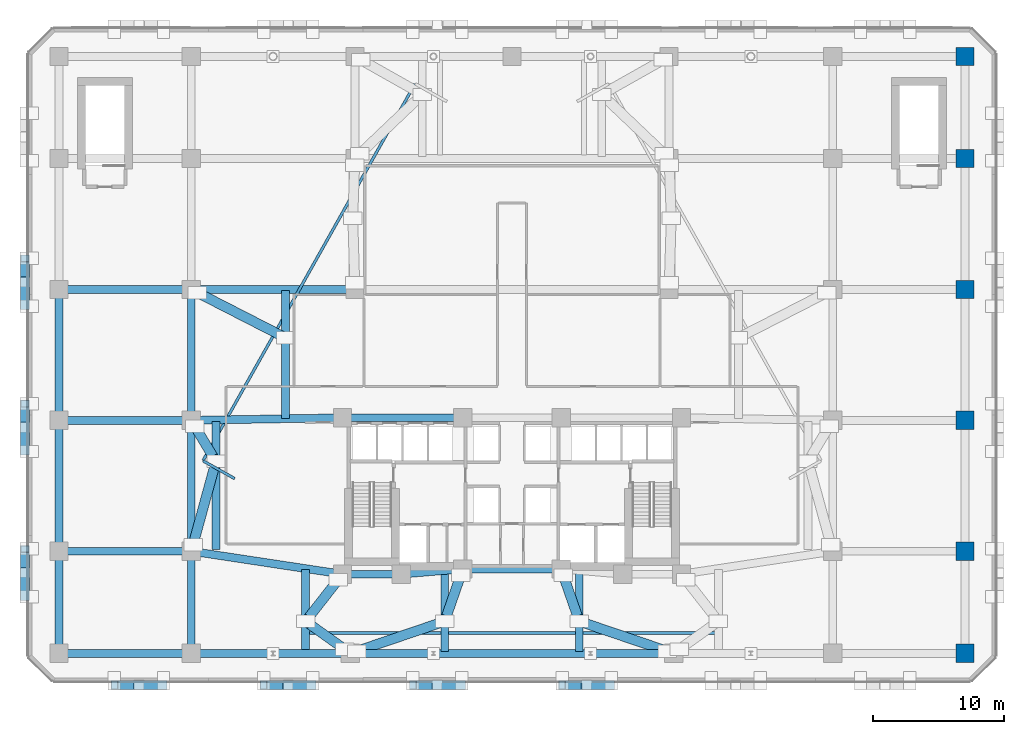
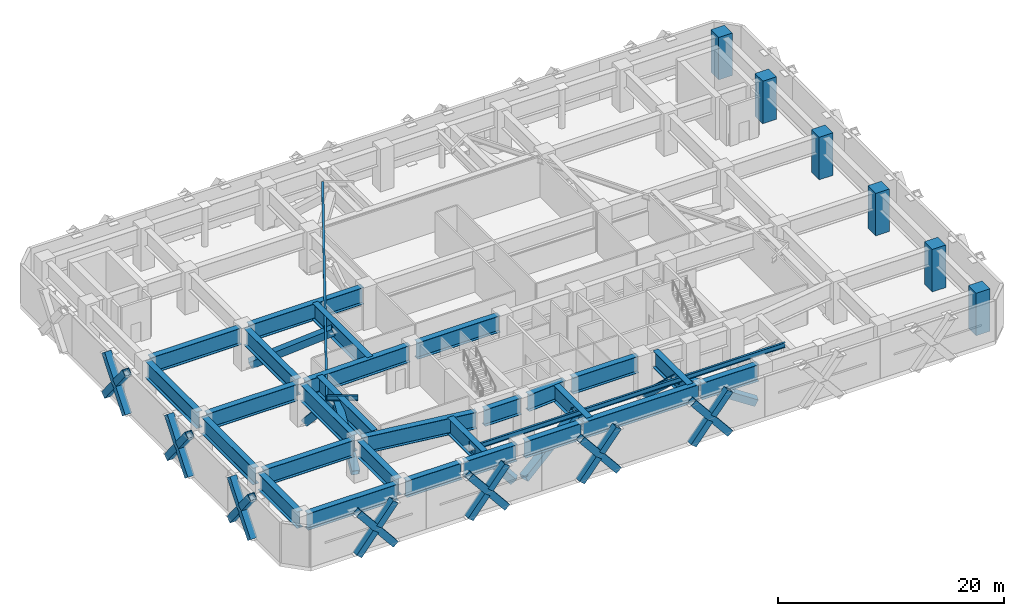
# One storey, part 5 of 14: 30 beams, 30 members, 6 columns.
"""IFC4 building model written with IfcOpenShell, lengths in metres."""

import ifcopenshell
import ifcopenshell.guid

model = None  # the IFC model being written
_history = None  # IfcOwnerHistory: only IFC2X3 demands one
_inside = {}  # id of a spatial element -> (the spatial element, [elements in it])
_under = {}  # id of a project, library or spatial element -> (it, [spatial elements below it])
_declared = {}  # id of a project -> (the project, [libraries it declares])
_typed = {}  # id of a type object -> (the type object, [elements of that type])
_made_of = {}  # id of a material, layer set ... -> (it, [elements and type objects made of it])


def new_model(schema):
    """Start an empty IFC model of exactly this schema.

    Asked for "IFC4X3", IfcOpenShell would pick the latest addendum, in which some entities
    have other attributes; the version numbers below select the first issue.
    IFC2X3 requires an IfcOwnerHistory on every rooted entity: one is made here for all.
    """
    global model, _history
    if schema == "IFC4X3":
        model = ifcopenshell.file(schema_version=(4, 3, 0, 0))
    else:
        model = ifcopenshell.file(schema=schema)
    _inside.clear()
    _under.clear()
    _declared.clear()
    _typed.clear()
    _made_of.clear()
    _history = None
    if model.schema == "IFC2X3":
        org = make("IfcOrganization", Name="unknown")
        user = make(
            "IfcPersonAndOrganization",
            ThePerson=make("IfcPerson", FamilyName="unknown"),
            TheOrganization=org,
        )
        app = make(
            "IfcApplication",
            ApplicationDeveloper=org,
            Version="unknown",
            ApplicationFullName="unknown",
            ApplicationIdentifier="unknown",
        )
        _history = make(
            "IfcOwnerHistory",
            OwningUser=user,
            OwningApplication=app,
            ChangeAction="ADDED",
            CreationDate=0,
        )
    return model


def make(cls, **values):
    """One entity of the class cls with the attributes given. An attribute that is None is left unset."""
    return model.create_entity(
        cls, **{name: value for name, value in values.items() if value is not None}
    )


def rooted(cls, **values):
    """An entity with a GlobalId (a new one), such as an element, a storey or a relation."""
    return make(cls, GlobalId=ifcopenshell.guid.new(), OwnerHistory=_history, **values)


def si_unit(unit_type, name, prefix=None):
    """IfcSIUnit, for example si_unit("LENGTHUNIT", "METRE", prefix="MILLI")."""
    return make("IfcSIUnit", UnitType=unit_type, Prefix=prefix, Name=name)


def assignment(units):
    """IfcUnitAssignment: the units of a project."""
    return None if units is None else make("IfcUnitAssignment", Units=units)


def point(xyz):
    """IfcCartesianPoint."""
    return None if xyz is None else make("IfcCartesianPoint", Coordinates=xyz)


def direction(xyz):
    """IfcDirection."""
    return None if xyz is None else make("IfcDirection", DirectionRatios=xyz)


def frame(location, z_axis=None, x_axis=None):
    """IfcAxis2Placement3D, a coordinate frame: its origin and axes. An axis left out is left unset."""
    return make(
        "IfcAxis2Placement3D",
        Location=point(location),
        Axis=direction(z_axis),
        RefDirection=direction(x_axis),
    )


def frame_2d(location, x_axis=None):
    """IfcAxis2Placement2D, a coordinate frame in the plane: its origin and x axis."""
    return make(
        "IfcAxis2Placement2D", Location=point(location), RefDirection=direction(x_axis)
    )


def origin():
    """The frame at (0, 0, 0) with its axes left unset."""
    return frame((0.0, 0.0, 0.0))


def origin_2d():
    """The frame at (0, 0) in the plane with its x axis left unset."""
    return frame_2d((0.0, 0.0))


def place(relative_to, where):
    """IfcLocalPlacement: puts the frame where relative to a parent placement (None: the world)."""
    return make(
        "IfcLocalPlacement", PlacementRelTo=relative_to, RelativePlacement=where
    )


def context(
    kind, dimensions, precision=None, world=None, true_north=None, identifier=None
):
    """IfcGeometricRepresentationContext, for example the 3D "Model" context."""
    return make(
        "IfcGeometricRepresentationContext",
        ContextIdentifier=identifier,
        ContextType=kind,
        CoordinateSpaceDimension=dimensions,
        Precision=precision,
        WorldCoordinateSystem=world,
        TrueNorth=true_north,
    )


def subcontext(parent, identifier, kind, view, scale=None):
    """IfcGeometricRepresentationSubContext, for example "Body" below "Model"."""
    return make(
        "IfcGeometricRepresentationSubContext",
        ContextIdentifier=identifier,
        ContextType=kind,
        ParentContext=parent,
        TargetScale=scale,
        TargetView=view,
    )


def project(units=None, contexts=None):
    """IfcProject with its units and contexts."""
    return rooted(
        "IfcProject",
        Name="project",
        RepresentationContexts=contexts,
        UnitsInContext=assignment(units),
    )


def spatial(cls, under=None, at=None, **own):
    """A site, building, storey or space (cls), placed at a placement, below another one or the project."""
    s = rooted(cls, ObjectPlacement=at, **own)
    if under is not None:
        _under.setdefault(under.id(), (under, []))[1].append(s)
    return s


def profile(cls, at=None, kind="AREA", **sizes):
    """A parametric profile (cls). Its sizes go by their IFC names, for example OverallWidth=200.0."""
    return make(cls, ProfileType=kind, Position=at, **sizes)


def rectangle(**sizes):
    """IfcRectangleProfileDef."""
    return profile("IfcRectangleProfileDef", **sizes)


def hollow_rectangle(**sizes):
    """IfcRectangleHollowProfileDef."""
    return profile("IfcRectangleHollowProfileDef", **sizes)


def i_section(**sizes):
    """IfcIShapeProfileDef."""
    return profile("IfcIShapeProfileDef", **sizes)


def extrude(swept, where, along, depth):
    """IfcExtrudedAreaSolid: the profile swept, set in the frame where, extruded along a direction by depth."""
    return make(
        "IfcExtrudedAreaSolid",
        SweptArea=swept,
        Position=where,
        ExtrudedDirection=direction(along),
        Depth=depth,
    )


def shape(context_of_items, identifier, shape_type, items):
    """IfcShapeRepresentation: the items that make up one representation, for example the "Body"."""
    return make(
        "IfcShapeRepresentation",
        ContextOfItems=context_of_items,
        RepresentationIdentifier=identifier,
        RepresentationType=shape_type,
        Items=items,
    )


def material(Name=None, Category=None):
    """IfcMaterial."""
    return make("IfcMaterial", Name=Name, Category=Category)


def material_profile(
    of_material, cross_section, Name=None, Category=None, Priority=None
):
    """IfcMaterialProfile: a cross section and its material."""
    return make(
        "IfcMaterialProfile",
        Name=Name,
        Material=of_material,
        Profile=cross_section,
        Priority=Priority,
        Category=Category,
    )


def profile_set(profiles, Name=None, composite=None):
    """IfcMaterialProfileSet."""
    return make(
        "IfcMaterialProfileSet",
        Name=Name,
        MaterialProfiles=profiles,
        CompositeProfile=composite,
    )


def made_of(thing, what):
    """Note that an element or type object is made of a material, layer set ...; save() writes the relation."""
    if what is not None:
        _made_of.setdefault(what.id(), (what, []))[1].append(thing)
    return thing


def type_object(cls, material=None, **own):
    """A type object (cls), such as IfcWallType, which elements share."""
    return made_of(rooted(cls, **own), material)


def element(
    cls,
    number,
    at=None,
    inside=None,
    cuts=None,
    type_object=None,
    material=None,
    context=None,
    identifier="Body",
    shape_type=None,
    held_by="IfcProductDefinitionShape",
    body=None,
    shapes=None,
    **own,
):
    """One element of the class cls, such as IfcWall. Its Tag is "e" and its number.

    at: its placement. inside: the storey or other place that contains it. cuts: it is an
    opening in that element (IfcRelVoidsElement). A single representation is given by context,
    identifier, shape_type and body (its items); several are given by shapes. held_by: the class
    of the entity that holds the representations. save() writes the other relations.
    """
    e = rooted(cls, Tag="e%d" % number, ObjectPlacement=at, **own)
    if body is not None:
        shapes = [shape(context, identifier, shape_type, body)]
    if shapes is not None:
        e.Representation = make(held_by, Representations=shapes)
    if inside is not None:
        _inside.setdefault(inside.id(), (inside, []))[1].append(e)
    if cuts is not None:
        rooted(
            "IfcRelVoidsElement", RelatingBuildingElement=cuts, RelatedOpeningElement=e
        )
    if type_object is not None:
        _typed.setdefault(type_object.id(), (type_object, []))[1].append(e)
    return made_of(e, material)


def aggregate(whole, parts):
    """IfcRelAggregates: a whole, such as a stair, and the parts it consists of."""
    return rooted("IfcRelAggregates", RelatingObject=whole, RelatedObjects=parts)


def save(model, path):
    """Write the relations noted so far, then the file.

    IfcRelAggregates (storeys below a building ...), IfcRelContainedInSpatialStructure (elements
    in a storey), IfcRelDefinesByType, IfcRelAssociatesMaterial and IfcRelDeclares: one each for
    every whole, place, type object, material and project.
    """
    for whole, parts in _under.values():
        aggregate(whole, parts)
    for where, things in _inside.values():
        rooted(
            "IfcRelContainedInSpatialStructure",
            RelatedElements=things,
            RelatingStructure=where,
        )
    for kind, things in _typed.values():
        rooted("IfcRelDefinesByType", RelatedObjects=things, RelatingType=kind)
    for what, things in _made_of.values():
        rooted("IfcRelAssociatesMaterial", RelatedObjects=things, RelatingMaterial=what)
    for by, libraries in _declared.values():
        rooted("IfcRelDeclares", RelatingContext=by, RelatedDefinitions=libraries)
    model.write(path)


model = new_model("IFC4")

# Units and contexts
model_context = context("Model", 3, precision=1e-05, world=origin(), true_north=direction((0.0, 1.0)))
body_context = subcontext(model_context, "Body", "Model", "MODEL_VIEW")
ifc_project = project(units=[si_unit("LENGTHUNIT", "METRE"), si_unit("AREAUNIT", "SQUARE_METRE"), si_unit("VOLUMEUNIT", "CUBIC_METRE"), si_unit("PLANEANGLEUNIT", "RADIAN"), si_unit("MASSUNIT", "GRAM", prefix="KILO")], contexts=[model_context])

# Site, building, storey
site_placement = place(None, origin())
site = spatial("IfcSite", under=ifc_project, at=site_placement, CompositionType="ELEMENT")
building_placement = place(site_placement, origin())
building = spatial("IfcBuilding", under=site, at=building_placement, Name="Quenlor Broadcast Tower", CompositionType="ELEMENT")
storey_placement = place(building_placement, frame((0.0, 0.0, 23.0)))
storey = spatial("IfcBuildingStorey", under=building, at=storey_placement, Name="L05", CompositionType="ELEMENT", Elevation=23.0)

# Columns
ifc_material_1 = material(Name="Concrete C65/80", Category="concrete")
ifc_material_profile_1 = material_profile(ifc_material_1, rectangle(XDim=1.39990234375, YDim=1.39990234375, at=origin_2d()))
ifc_profile_set_1 = profile_set([ifc_material_profile_1], Name="Concrete C65/80 RC1400x1400")
column_type = type_object("IfcColumnType", Name="Podium Mega Column Concrete C65/80 1400", PredefinedType="COLUMN", material=ifc_profile_set_1)
for number, where, z_axis, x_axis, name in (
    (1, (34.60009765625, -22.800048828125, 0.0), (0.0, 0.0, 1.0), (1.0, 0.0, 0.0), "L05 Podium Mega Column PM6"),
    (2, (34.60009765625, -15.0, 0.0), (0.0, 0.0, 1.0), (1.0, 0.0, 0.0), "L05 Podium Mega Column PM10"),
    (3, (34.60009765625, -5.0, 0.0), (0.0, 0.0, 1.0), (1.0, 0.0, 0.0), "L05 Podium Mega Column PM14"),
    (4, (34.60009765625, 5.0, 0.0), (0.0, 0.0, 1.0), (1.0, 0.0, 0.0), "L05 Podium Mega Column PM20"),
    (5, (34.60009765625, 15.0, 0.0), (0.0, 0.0, 1.0), (1.0, 0.0, 0.0), "L05 Podium Mega Column PM26"),
    (6, (34.60009765625, 22.800048828125, 0.0), (0.0, 0.0, 1.0), (1.0, 0.0, 0.0), "L05 Podium Mega Column PM33"),
):
    element("IfcColumn", number, at=place(storey_placement, frame(where, z_axis=z_axis, x_axis=x_axis)), inside=storey, type_object=column_type, Name=name, PredefinedType="COLUMN", context=body_context, shape_type="SweptSolid", body=[
        extrude(rectangle(XDim=1.39990234375, YDim=1.39990234375, at=origin_2d()), origin(), (0.0, 0.0, 1.0), 4.60009765625),
    ])

# Members
ifc_material_2 = material(Name="Steel S355", Category="steel")
ifc_material_profile_2 = material_profile(ifc_material_2, hollow_rectangle(XDim=0.679931640625, YDim=0.679931640625, WallThickness=0.034912109375, at=origin_2d()))
ifc_profile_set_2 = profile_set([ifc_material_profile_2], Name="Steel S355 RHS680x680x35")
member_type_1 = type_object("IfcMemberType", Name="Perimeter Diagonal Lattice Brace Z1 Steel S355 RHS680x35", PredefinedType="BRACE", material=ifc_profile_set_2)
member_1_placement = place(storey_placement, frame((7.5771484375, -25.215087890625, -0.1201171875), z_axis=(-0.632296924552, 0.0, 0.774726144649), x_axis=(0.0, -1.0, 0.0)))
element("IfcMember", 7, at=member_1_placement, inside=storey, type_object=member_type_1, Name="L05 Podium Diamond Lattice S-P3XA", PredefinedType="BRACE", context=body_context, shape_type="SweptSolid", body=[
    extrude(hollow_rectangle(XDim=0.679931640625, YDim=0.679931640625, WallThickness=0.034912109375, at=origin_2d()), origin(), (0.0, 0.0, 1.0), 5.937744140625),
])
member_2_placement = place(storey_placement, frame((3.82275390625, -25.215087890625, -0.1201171875), z_axis=(0.632308308234, 0.0, 0.774716853656), x_axis=(0.0, 1.0, 0.0)))
element("IfcMember", 8, at=member_2_placement, inside=storey, type_object=member_type_1, Name="L05 Podium Diamond Lattice S-P3XB1", PredefinedType="BRACE", context=body_context, shape_type="SweptSolid", body=[
    extrude(hollow_rectangle(XDim=0.679931640625, YDim=0.679931640625, WallThickness=0.034912109375, at=origin_2d()), origin(), (0.0, 0.0, 1.0), 2.718994140625),
])
member_3_placement = place(storey_placement, frame((5.858154296875, -25.215087890625, 2.373779296875), z_axis=(0.63229840062, 0.0, 0.774724939945), x_axis=(0.0, 1.0, 0.0)))
element("IfcMember", 9, at=member_3_placement, inside=storey, type_object=member_type_1, Name="L05 Podium Diamond Lattice S-P3XB2", PredefinedType="BRACE", context=body_context, shape_type="SweptSolid", body=[
    extrude(hollow_rectangle(XDim=0.679931640625, YDim=0.679931640625, WallThickness=0.034912109375, at=origin_2d()), origin(), (0.0, 0.0, 1.0), 2.71875),
])
member_4_placement = place(storey_placement, frame((-3.82275390625, -25.215087890625, -0.1201171875), z_axis=(-0.632296924552, 0.0, 0.774726144649), x_axis=(0.0, -1.0, 0.0)))
element("IfcMember", 10, at=member_4_placement, inside=storey, type_object=member_type_1, Name="L05 Podium Diamond Lattice S-P4XA", PredefinedType="BRACE", context=body_context, shape_type="SweptSolid", body=[
    extrude(hollow_rectangle(XDim=0.679931640625, YDim=0.679931640625, WallThickness=0.034912109375, at=origin_2d()), origin(), (0.0, 0.0, 1.0), 5.937744140625),
])
for number, where, z_axis, x_axis, name in (
    (11, (-7.5771484375, -25.215087890625, -0.1201171875), (0.632254412318, 0.0, 0.774760839295), (0.0, 1.0, 0.0), "L05 Podium Diamond Lattice S-P4XB1"),
    (12, (-5.5419921875, -25.215087890625, 2.373779296875), (0.632352295291, 0.0, 0.774680950224), (0.0, 1.0, 0.0), "L05 Podium Diamond Lattice S-P4XB2"),
):
    element("IfcMember", number, at=place(storey_placement, frame(where, z_axis=z_axis, x_axis=x_axis)), inside=storey, type_object=member_type_1, Name=name, PredefinedType="BRACE", context=body_context, shape_type="SweptSolid", body=[
        extrude(hollow_rectangle(XDim=0.679931640625, YDim=0.679931640625, WallThickness=0.034912109375, at=origin_2d()), origin(), (0.0, 0.0, 1.0), 2.71875),
    ])
member_5_placement = place(storey_placement, frame((-15.222900390625, -25.215087890625, -0.1201171875), z_axis=(-0.632296924552, 0.0, 0.774726144649), x_axis=(0.0, -1.0, 0.0)))
element("IfcMember", 13, at=member_5_placement, inside=storey, type_object=member_type_1, Name="L05 Podium Diamond Lattice S-P5XA", PredefinedType="BRACE", context=body_context, shape_type="SweptSolid", body=[
    extrude(hollow_rectangle(XDim=0.679931640625, YDim=0.679931640625, WallThickness=0.034912109375, at=origin_2d()), origin(), (0.0, 0.0, 1.0), 5.937744140625),
])
member_6_placement = place(storey_placement, frame((-18.977294921875, -25.215087890625, -0.1201171875), z_axis=(0.632308308234, 0.0, 0.774716853656), x_axis=(0.0, 1.0, 0.0)))
element("IfcMember", 14, at=member_6_placement, inside=storey, type_object=member_type_1, Name="L05 Podium Diamond Lattice S-P5XB1", PredefinedType="BRACE", context=body_context, shape_type="SweptSolid", body=[
    extrude(hollow_rectangle(XDim=0.679931640625, YDim=0.679931640625, WallThickness=0.034912109375, at=origin_2d()), origin(), (0.0, 0.0, 1.0), 2.718994140625),
])
member_7_placement = place(storey_placement, frame((-16.94189453125, -25.215087890625, 2.373779296875), z_axis=(0.63229840062, 0.0, 0.774724939945), x_axis=(0.0, 1.0, 0.0)))
element("IfcMember", 15, at=member_7_placement, inside=storey, type_object=member_type_1, Name="L05 Podium Diamond Lattice S-P5XB2", PredefinedType="BRACE", context=body_context, shape_type="SweptSolid", body=[
    extrude(hollow_rectangle(XDim=0.679931640625, YDim=0.679931640625, WallThickness=0.034912109375, at=origin_2d()), origin(), (0.0, 0.0, 1.0), 2.71875),
])
member_8_placement = place(storey_placement, frame((-26.622802734375, -25.215087890625, -0.1201171875), z_axis=(-0.632296924552, 0.0, 0.774726144649), x_axis=(0.0, -1.0, 0.0)))
element("IfcMember", 16, at=member_8_placement, inside=storey, type_object=member_type_1, Name="L05 Podium Diamond Lattice S-P6XA", PredefinedType="BRACE", context=body_context, shape_type="SweptSolid", body=[
    extrude(hollow_rectangle(XDim=0.679931640625, YDim=0.679931640625, WallThickness=0.034912109375, at=origin_2d()), origin(), (0.0, 0.0, 1.0), 5.937744140625),
])
for number, where, z_axis, x_axis, name in (
    (17, (-30.377197265625, -25.215087890625, -0.1201171875), (0.632254412318, 0.0, 0.774760839295), (0.0, 1.0, 0.0), "L05 Podium Diamond Lattice S-P6XB1"),
    (18, (-28.341796875, -25.215087890625, 2.373779296875), (0.63229840062, 0.0, 0.774724939945), (0.0, 1.0, 0.0), "L05 Podium Diamond Lattice S-P6XB2"),
):
    element("IfcMember", number, at=place(storey_placement, frame(where, z_axis=z_axis, x_axis=x_axis)), inside=storey, type_object=member_type_1, Name=name, PredefinedType="BRACE", context=body_context, shape_type="SweptSolid", body=[
        extrude(hollow_rectangle(XDim=0.679931640625, YDim=0.679931640625, WallThickness=0.034912109375, at=origin_2d()), origin(), (0.0, 0.0, 1.0), 2.71875),
    ])
member_9_placement = place(storey_placement, frame((-37.215087890625, -18.477783203125, -0.1201171875), z_axis=(0.0, 0.622142921458, 0.78290368838), x_axis=(-1.0, 0.0, 0.0)))
element("IfcMember", 19, at=member_9_placement, inside=storey, type_object=member_type_1, Name="L05 Podium Diamond Lattice W-P1XA", PredefinedType="BRACE", context=body_context, shape_type="SweptSolid", body=[
    extrude(hollow_rectangle(XDim=0.679931640625, YDim=0.679931640625, WallThickness=0.034912109375, at=origin_2d()), origin(), (0.0, 0.0, 1.0), 5.875732421875),
])
for number, where, z_axis, x_axis, name in (
    (20, (-37.215087890625, -14.822265625, -0.1201171875), (0.0, -0.622088547402, 0.782946894234), (1.0, 0.0, 0.0), "L05 Podium Diamond Lattice W-P1XB1"),
    (21, (-37.215087890625, -16.805419921875, 2.375732421875), (0.0, -0.622188462001, 0.782867496932), (1.0, 0.0, 0.0), "L05 Podium Diamond Lattice W-P1XB2"),
):
    element("IfcMember", number, at=place(storey_placement, frame(where, z_axis=z_axis, x_axis=x_axis)), inside=storey, type_object=member_type_1, Name=name, PredefinedType="BRACE", context=body_context, shape_type="SweptSolid", body=[
        extrude(hollow_rectangle(XDim=0.679931640625, YDim=0.679931640625, WallThickness=0.034912109375, at=origin_2d()), origin(), (0.0, 0.0, 1.0), 2.68798828125),
    ])
member_10_placement = place(storey_placement, frame((-37.215087890625, -7.377685546875, -0.1201171875), z_axis=(0.0, 0.622142921458, 0.78290368838), x_axis=(-1.0, 0.0, 0.0)))
element("IfcMember", 22, at=member_10_placement, inside=storey, type_object=member_type_1, Name="L05 Podium Diamond Lattice W-P2XA", PredefinedType="BRACE", context=body_context, shape_type="SweptSolid", body=[
    extrude(hollow_rectangle(XDim=0.679931640625, YDim=0.679931640625, WallThickness=0.034912109375, at=origin_2d()), origin(), (0.0, 0.0, 1.0), 5.875732421875),
])
member_11_placement = place(storey_placement, frame((-37.215087890625, -3.72216796875, -0.1201171875), z_axis=(0.0, -0.622144221456, 0.782902655321), x_axis=(1.0, 0.0, 0.0)))
element("IfcMember", 23, at=member_11_placement, inside=storey, type_object=member_type_1, Name="L05 Podium Diamond Lattice W-P2XB1", PredefinedType="BRACE", context=body_context, shape_type="SweptSolid", body=[
    extrude(hollow_rectangle(XDim=0.679931640625, YDim=0.679931640625, WallThickness=0.034912109375, at=origin_2d()), origin(), (0.0, 0.0, 1.0), 2.68798828125),
])
member_12_placement = place(storey_placement, frame((-37.215087890625, -5.70556640625, 2.375732421875), z_axis=(0.0, -0.622132788988, 0.782911740151), x_axis=(1.0, 0.0, 0.0)))
element("IfcMember", 24, at=member_12_placement, inside=storey, type_object=member_type_1, Name="L05 Podium Diamond Lattice W-P2XB2", PredefinedType="BRACE", context=body_context, shape_type="SweptSolid", body=[
    extrude(hollow_rectangle(XDim=0.679931640625, YDim=0.679931640625, WallThickness=0.034912109375, at=origin_2d()), origin(), (0.0, 0.0, 1.0), 2.687744140625),
])
member_13_placement = place(storey_placement, frame((-37.215087890625, 3.72216796875, -0.1201171875), z_axis=(0.0, 0.622142921458, 0.78290368838), x_axis=(-1.0, 0.0, 0.0)))
element("IfcMember", 25, at=member_13_placement, inside=storey, type_object=member_type_1, Name="L05 Podium Diamond Lattice W-P3XA", PredefinedType="BRACE", context=body_context, shape_type="SweptSolid", body=[
    extrude(hollow_rectangle(XDim=0.679931640625, YDim=0.679931640625, WallThickness=0.034912109375, at=origin_2d()), origin(), (0.0, 0.0, 1.0), 5.875732421875),
])
for number, where, z_axis, x_axis, name in (
    (26, (-37.215087890625, 7.377685546875, -0.1201171875), (0.0, -0.622088547402, 0.782946894234), (1.0, 0.0, 0.0), "L05 Podium Diamond Lattice W-P3XB1"),
    (27, (-37.215087890625, 5.39453125, 2.375732421875), (0.0, -0.622188462001, 0.782867496932), (1.0, 0.0, 0.0), "L05 Podium Diamond Lattice W-P3XB2"),
):
    element("IfcMember", number, at=place(storey_placement, frame(where, z_axis=z_axis, x_axis=x_axis)), inside=storey, type_object=member_type_1, Name=name, PredefinedType="BRACE", context=body_context, shape_type="SweptSolid", body=[
        extrude(hollow_rectangle(XDim=0.679931640625, YDim=0.679931640625, WallThickness=0.034912109375, at=origin_2d()), origin(), (0.0, 0.0, 1.0), 2.68798828125),
    ])

# Beams
ifc_material_3 = material(Name="Steel S355", Category="steel")
ifc_material_profile_3 = material_profile(ifc_material_3, i_section(OverallWidth=0.208984375, OverallDepth=0.532958984375, WebThickness=0.01025390625, FlangeThickness=0.015625, FilletRadius=0.013916015625, at=origin_2d()))
ifc_profile_set_3 = profile_set([ifc_material_profile_3], Name="Steel S355 530UB92.4")
beam_type_1 = type_object("IfcBeamType", Name="Perimeter Spandrel Beam Z1 Steel S355 530UB92.4", PredefinedType="SPANDREL", material=ifc_profile_set_3)
beam_1_placement = place(storey_placement, frame((15.666015625, -21.235107421875, 4.08349609375), z_axis=(-1.0, 0.0, 0.0), x_axis=(0.0, -1.0, 0.0)))
element("IfcBeam", 28, at=beam_1_placement, inside=storey, type_object=beam_type_1, Name="L05 Tower Lattice Sill Girder S", PredefinedType="SPANDREL", context=body_context, shape_type="SweptSolid", body=[
    extrude(i_section(OverallWidth=0.208984375, OverallDepth=0.532958984375, WebThickness=0.01025390625, FlangeThickness=0.015625, FilletRadius=0.013916015625, at=origin_2d()), origin(), (0.0, 0.0, 1.0), 31.33203125),
])
beam_2_placement = place(storey_placement, frame((-21.18408203125, -9.45166015625, 4.08349609375), z_axis=(-0.871587348915, 0.490240240301, 0.0), x_axis=(-0.490240240301, -0.871587348915, 0.0)))
element("IfcBeam", 29, at=beam_2_placement, inside=storey, type_object=beam_type_1, Name="L05 Tower Lattice Sill Radial Tie NW1", PredefinedType="SPANDREL", context=body_context, shape_type="SweptSolid", body=[
    extrude(i_section(OverallWidth=0.208984375, OverallDepth=0.532958984375, WebThickness=0.01025390625, FlangeThickness=0.015625, FilletRadius=0.013916015625, at=origin_2d()), origin(), (0.0, 0.0, 1.0), 2.760009765625),
])
beam_3_placement = place(storey_placement, frame((-23.59716796875, -8.0712890625, 4.08349609375), z_axis=(0.490258781835, 0.871576919631, 0.0), x_axis=(-0.871576919631, 0.490258781835, 0.0)))
element("IfcBeam", 30, at=beam_3_placement, inside=storey, type_object=beam_type_1, Name="L05 Tower Lattice Sill Girder NW", PredefinedType="SPANDREL", context=body_context, shape_type="SweptSolid", body=[
    extrude(i_section(OverallWidth=0.208984375, OverallDepth=0.532958984375, WebThickness=0.01025390625, FlangeThickness=0.015625, FilletRadius=0.013916015625, at=origin_2d()), origin(), (0.0, 0.0, 1.0), 33.0126953125),
])
ifc_material_4 = material(Name="Steel S355", Category="steel")
ifc_material_profile_4 = material_profile(ifc_material_4, i_section(OverallWidth=0.60009765625, OverallDepth=1.800048828125, WebThickness=0.02392578125, FlangeThickness=0.035888671875, FilletRadius=0.01806640625, at=origin_2d()))
ifc_profile_set_4 = profile_set([ifc_material_profile_4], Name="Steel S355 1800TG620")
beam_type_2 = type_object("IfcBeamType", Name="Podium Composite Transfer Girder Steel S355 1800", PredefinedType="BEAM", material=ifc_profile_set_4)
beam_4_placement = place(storey_placement, frame((-34.179931640625, -22.800048828125, 3.449951171875), z_axis=(1.0, 0.0, 0.0), x_axis=(0.0, 1.0, 0.0)))
element("IfcBeam", 31, at=beam_4_placement, inside=storey, type_object=beam_type_2, Name="L05 Podium Composite Transfer Girder 1", PredefinedType="BEAM", context=body_context, shape_type="SweptSolid", body=[
    extrude(i_section(OverallWidth=0.60009765625, OverallDepth=1.800048828125, WebThickness=0.02392578125, FlangeThickness=0.035888671875, FilletRadius=0.01806640625, at=origin_2d()), origin(), (0.0, 0.0, 1.0), 9.260009765625),
])
beam_5_placement = place(storey_placement, frame((-24.080078125, -22.800048828125, 3.449951171875), z_axis=(1.0, 0.0, 0.0), x_axis=(0.0, 1.0, 0.0)))
element("IfcBeam", 32, at=beam_5_placement, inside=storey, type_object=beam_type_2, Name="L05 Podium Composite Transfer Girder 2", PredefinedType="BEAM", context=body_context, shape_type="SweptSolid", body=[
    extrude(i_section(OverallWidth=0.60009765625, OverallDepth=1.800048828125, WebThickness=0.02392578125, FlangeThickness=0.035888671875, FilletRadius=0.01806640625, at=origin_2d()), origin(), (0.0, 0.0, 1.0), 5.694580078125),
])
beam_6_placement = place(storey_placement, frame((-18.114501953125, -22.800048828125, 3.449951171875), z_axis=(1.0, 0.0, 0.0), x_axis=(0.0, 1.0, 0.0)))
element("IfcBeam", 33, at=beam_6_placement, inside=storey, type_object=beam_type_2, Name="L05 Podium Composite Transfer Girder 3", PredefinedType="BEAM", context=body_context, shape_type="SweptSolid", body=[
    extrude(i_section(OverallWidth=0.60009765625, OverallDepth=1.800048828125, WebThickness=0.02392578125, FlangeThickness=0.035888671875, FilletRadius=0.01806640625, at=origin_2d()), origin(), (0.0, 0.0, 1.0), 5.344482421875),
])
beam_7_placement = place(storey_placement, frame((-11.929931640625, -22.800048828125, 3.449951171875), z_axis=(1.0, 0.0, 0.0), x_axis=(0.0, 1.0, 0.0)))
element("IfcBeam", 34, at=beam_7_placement, inside=storey, type_object=beam_type_2, Name="L05 Podium Composite Transfer Girder 4", PredefinedType="BEAM", context=body_context, shape_type="SweptSolid", body=[
    extrude(i_section(OverallWidth=0.60009765625, OverallDepth=1.800048828125, WebThickness=0.02392578125, FlangeThickness=0.035888671875, FilletRadius=0.01806640625, at=origin_2d()), origin(), (0.0, 0.0, 1.0), 5.822021484375),
])
beam_8_placement = place(storey_placement, frame((-5.89208984375, -22.800048828125, 3.449951171875), z_axis=(1.0, 0.0, 0.0), x_axis=(0.0, 1.0, 0.0)))
element("IfcBeam", 35, at=beam_8_placement, inside=storey, type_object=beam_type_2, Name="L05 Podium Composite Transfer Girder 5", PredefinedType="BEAM", context=body_context, shape_type="SweptSolid", body=[
    extrude(i_section(OverallWidth=0.60009765625, OverallDepth=1.800048828125, WebThickness=0.02392578125, FlangeThickness=0.035888671875, FilletRadius=0.01806640625, at=origin_2d()), origin(), (0.0, 0.0, 1.0), 11.7841796875),
])
beam_9_placement = place(storey_placement, frame((6.10791015625, -22.800048828125, 3.449951171875), z_axis=(1.0, 0.0, 0.0), x_axis=(0.0, 1.0, 0.0)))
element("IfcBeam", 36, at=beam_9_placement, inside=storey, type_object=beam_type_2, Name="L05 Podium Composite Transfer Girder 6", PredefinedType="BEAM", context=body_context, shape_type="SweptSolid", body=[
    extrude(i_section(OverallWidth=0.60009765625, OverallDepth=1.800048828125, WebThickness=0.02392578125, FlangeThickness=0.035888671875, FilletRadius=0.01806640625, at=origin_2d()), origin(), (0.0, 0.0, 1.0), 5.822021484375),
])
for number, where, z_axis, x_axis, name in (
    (37, (-34.179931640625, -15.0, 3.449951171875), (1.0, 0.0, 0.0), (0.0, 1.0, 0.0), "L05 Podium Composite Transfer Girder 10"),
    (38, (-34.179931640625, -5.0, 3.449951171875), (1.0, 0.0, 0.0), (0.0, 1.0, 0.0), "L05 Podium Composite Transfer Girder 12"),
    (39, (-34.179931640625, 5.0, 3.449951171875), (1.0, 0.0, 0.0), (0.0, 1.0, 0.0), "L05 Podium Composite Transfer Girder 14"),
):
    element("IfcBeam", number, at=place(storey_placement, frame(where, z_axis=z_axis, x_axis=x_axis)), inside=storey, type_object=beam_type_2, Name=name, PredefinedType="BEAM", context=body_context, shape_type="SweptSolid", body=[
        extrude(i_section(OverallWidth=0.60009765625, OverallDepth=1.800048828125, WebThickness=0.02392578125, FlangeThickness=0.035888671875, FilletRadius=0.01806640625, at=origin_2d()), origin(), (0.0, 0.0, 1.0), 9.260009765625),
    ])
beam_10_placement = place(storey_placement, frame((-24.080078125, 5.0, 3.449951171875), z_axis=(1.0, 0.0, 0.0), x_axis=(0.0, 1.0, 0.0)))
element("IfcBeam", 40, at=beam_10_placement, inside=storey, type_object=beam_type_2, Name="L05 Podium Composite Transfer Girder 15", PredefinedType="BEAM", context=body_context, shape_type="SweptSolid", body=[
    extrude(i_section(OverallWidth=0.60009765625, OverallDepth=1.800048828125, WebThickness=0.02392578125, FlangeThickness=0.035888671875, FilletRadius=0.01806640625, at=origin_2d()), origin(), (0.0, 0.0, 1.0), 11.66015625),
])
beam_11_placement = place(storey_placement, frame((-34.60009765625, -22.3798828125, 3.449951171875), z_axis=(0.0, 1.0, 0.0), x_axis=(-1.0, 0.0, 0.0)))
element("IfcBeam", 41, at=beam_11_placement, inside=storey, type_object=beam_type_2, Name="L05 Podium Composite Transfer Girder 34", PredefinedType="BEAM", context=body_context, shape_type="SweptSolid", body=[
    extrude(i_section(OverallWidth=0.60009765625, OverallDepth=1.800048828125, WebThickness=0.02392578125, FlangeThickness=0.035888671875, FilletRadius=0.01806640625, at=origin_2d()), origin(), (0.0, 0.0, 1.0), 6.9599609375),
])
for number, where, z_axis, x_axis, name in (
    (42, (-34.60009765625, -14.580078125, 3.449951171875), (0.0, 1.0, 0.0), (-1.0, 0.0, 0.0), "L05 Podium Composite Transfer Girder 35"),
    (43, (-34.60009765625, -4.580078125, 3.449951171875), (0.0, 1.0, 0.0), (-1.0, 0.0, 0.0), "L05 Podium Composite Transfer Girder 36"),
):
    element("IfcBeam", number, at=place(storey_placement, frame(where, z_axis=z_axis, x_axis=x_axis)), inside=storey, type_object=beam_type_2, Name=name, PredefinedType="BEAM", context=body_context, shape_type="SweptSolid", body=[
        extrude(i_section(OverallWidth=0.60009765625, OverallDepth=1.800048828125, WebThickness=0.02392578125, FlangeThickness=0.035888671875, FilletRadius=0.01806640625, at=origin_2d()), origin(), (0.0, 0.0, 1.0), 9.16015625),
    ])
beam_12_placement = place(storey_placement, frame((-24.5, -22.3798828125, 3.449951171875), z_axis=(0.0, 1.0, 0.0), x_axis=(-1.0, 0.0, 0.0)))
element("IfcBeam", 44, at=beam_12_placement, inside=storey, type_object=beam_type_2, Name="L05 Podium Composite Transfer Girder 39", PredefinedType="BEAM", context=body_context, shape_type="SweptSolid", body=[
    extrude(i_section(OverallWidth=0.60009765625, OverallDepth=1.800048828125, WebThickness=0.02392578125, FlangeThickness=0.035888671875, FilletRadius=0.01806640625, at=origin_2d()), origin(), (0.0, 0.0, 1.0), 6.9599609375),
])
for number, where, z_axis, x_axis, name in (
    (45, (-24.5, -14.580078125, 3.449951171875), (0.0, 1.0, 0.0), (-1.0, 0.0, 0.0), "L05 Podium Composite Transfer Girder 40"),
    (46, (-24.5, -4.580078125, 3.449951171875), (0.0, 1.0, 0.0), (-1.0, 0.0, 0.0), "L05 Podium Composite Transfer Girder 41"),
):
    element("IfcBeam", number, at=place(storey_placement, frame(where, z_axis=z_axis, x_axis=x_axis)), inside=storey, type_object=beam_type_2, Name=name, PredefinedType="BEAM", context=body_context, shape_type="SweptSolid", body=[
        extrude(i_section(OverallWidth=0.60009765625, OverallDepth=1.800048828125, WebThickness=0.02392578125, FlangeThickness=0.035888671875, FilletRadius=0.01806640625, at=origin_2d()), origin(), (0.0, 0.0, 1.0), 9.16015625),
    ])
beam_13_placement = place(storey_placement, frame((-24.124267578125, -15.056884765625, 3.449951171875), z_axis=(0.988714400573, -0.14981266335, 0.0), x_axis=(0.14981266335, 0.988714400573, 0.0)))
element("IfcBeam", 47, at=beam_13_placement, inside=storey, type_object=beam_type_2, Name="L05 Podium Composite Transfer Cross Girder 1", PredefinedType="BEAM", context=body_context, shape_type="SweptSolid", body=[
    extrude(i_section(OverallWidth=0.60009765625, OverallDepth=1.800048828125, WebThickness=0.02392578125, FlangeThickness=0.035888671875, FilletRadius=0.01806640625, at=origin_2d()), origin(), (0.0, 0.0, 1.0), 10.921875),
])
beam_14_placement = place(storey_placement, frame((-24.1201171875, -4.993408203125, 3.449951171875), z_axis=(0.999850235211, 0.017306274859, 0.0), x_axis=(-0.017306274859, 0.999850235211, 0.0)))
element("IfcBeam", 48, at=beam_14_placement, inside=storey, type_object=beam_type_2, Name="L05 Podium Composite Transfer Cross Girder 3", PredefinedType="BEAM", context=body_context, shape_type="SweptSolid", body=[
    extrude(i_section(OverallWidth=0.60009765625, OverallDepth=1.800048828125, WebThickness=0.02392578125, FlangeThickness=0.035888671875, FilletRadius=0.01806640625, at=origin_2d()), origin(), (0.0, 0.0, 1.0), 10.7919921875),
])
beam_15_placement = place(storey_placement, frame((-12.570068359375, -4.800048828125, 3.449951171875), z_axis=(1.0, 0.0, 0.0), x_axis=(0.0, 1.0, 0.0)))
element("IfcBeam", 49, at=beam_15_placement, inside=storey, type_object=beam_type_2, Name="L05 Podium Composite Transfer Cross Girder 4", PredefinedType="BEAM", context=body_context, shape_type="SweptSolid", body=[
    extrude(i_section(OverallWidth=0.60009765625, OverallDepth=1.800048828125, WebThickness=0.02392578125, FlangeThickness=0.035888671875, FilletRadius=0.01806640625, at=origin_2d()), origin(), (0.0, 0.0, 1.0), 8.440185546875),
])
beam_16_placement = place(storey_placement, frame((-12.570068359375, -16.75, 3.449951171875), z_axis=(1.0, 0.0, 0.0), x_axis=(0.0, 1.0, 0.0)))
element("IfcBeam", 50, at=beam_16_placement, inside=storey, type_object=beam_type_2, Name="L05 Podium Composite Transfer Cross Girder 8", PredefinedType="BEAM", context=body_context, shape_type="SweptSolid", body=[
    extrude(i_section(OverallWidth=0.60009765625, OverallDepth=1.800048828125, WebThickness=0.02392578125, FlangeThickness=0.035888671875, FilletRadius=0.01806640625, at=origin_2d()), origin(), (0.0, 0.0, 1.0), 3.739990234375),
])
beam_17_placement = place(storey_placement, frame((-8.0712890625, -16.7177734375, 3.449951171875), z_axis=(0.996394789765, 0.084837626845, 0.0), x_axis=(-0.084837626845, 0.996394789765, 0.0)))
element("IfcBeam", 51, at=beam_17_placement, inside=storey, type_object=beam_type_2, Name="L05 Podium Composite Transfer Cross Girder 9", PredefinedType="BEAM", context=body_context, shape_type="SweptSolid", body=[
    extrude(i_section(OverallWidth=0.60009765625, OverallDepth=1.800048828125, WebThickness=0.02392578125, FlangeThickness=0.035888671875, FilletRadius=0.01806640625, at=origin_2d()), origin(), (0.0, 0.0, 1.0), 3.956787109375),
])
beam_18_placement = place(storey_placement, frame((-3.3701171875, -16.35009765625, 3.449951171875), z_axis=(1.0, 0.0, 0.0), x_axis=(0.0, 1.0, 0.0)))
element("IfcBeam", 52, at=beam_18_placement, inside=storey, type_object=beam_type_2, Name="L05 Podium Composite Transfer Cross Girder 10", PredefinedType="BEAM", context=body_context, shape_type="SweptSolid", body=[
    extrude(i_section(OverallWidth=0.60009765625, OverallDepth=1.800048828125, WebThickness=0.02392578125, FlangeThickness=0.035888671875, FilletRadius=0.01806640625, at=origin_2d()), origin(), (0.0, 0.0, 1.0), 6.740234375),
])
beam_19_placement = place(storey_placement, frame((-15.76513671875, -22.659912109375, 3.449951171875), z_axis=(0.0, 1.0, 0.0), x_axis=(-1.0, 0.0, 0.0)))
element("IfcBeam", 53, at=beam_19_placement, inside=storey, type_object=beam_type_2, Name="L05 Transfer Girder S1", PredefinedType="BEAM", context=body_context, shape_type="SweptSolid", body=[
    extrude(i_section(OverallWidth=0.60009765625, OverallDepth=1.800048828125, WebThickness=0.02392578125, FlangeThickness=0.035888671875, FilletRadius=0.01806640625, at=origin_2d()), origin(), (0.0, 0.0, 1.0), 6.25634765625),
])
for number, where, z_axis, x_axis, name in (
    (54, (-5.140869140625, -22.659912109375, 3.449951171875), (0.0, 1.0, 0.0), (-1.0, 0.0, 0.0), "L05 Transfer Girder S2"),
    (55, (5.140869140625, -22.659912109375, 3.449951171875), (0.0, 1.0, 0.0), (-1.0, 0.0, 0.0), "L05 Transfer Girder S3"),
):
    element("IfcBeam", number, at=place(storey_placement, frame(where, z_axis=z_axis, x_axis=x_axis)), inside=storey, type_object=beam_type_2, Name=name, PredefinedType="BEAM", context=body_context, shape_type="SweptSolid", body=[
        extrude(i_section(OverallWidth=0.60009765625, OverallDepth=1.800048828125, WebThickness=0.02392578125, FlangeThickness=0.035888671875, FilletRadius=0.01806640625, at=origin_2d()), origin(), (0.0, 0.0, 1.0), 6.111572265625),
    ])
for number, where, z_axis, x_axis, name in (
    (56, (-17.303955078125, -4.860107421875, 3.449951171875), (0.0, 1.0, 0.0), (-1.0, 0.0, 0.0), "L05 Transfer Girder NW3"),
    (57, (-22.6162109375, -14.860107421875, 3.449951171875), (0.0, 1.0, 0.0), (-1.0, 0.0, 0.0), "L05 Transfer Girder NW4"),
):
    element("IfcBeam", number, at=place(storey_placement, frame(where, z_axis=z_axis, x_axis=x_axis)), inside=storey, type_object=beam_type_2, Name=name, PredefinedType="BEAM", context=body_context, shape_type="SweptSolid", body=[
        extrude(i_section(OverallWidth=0.60009765625, OverallDepth=1.800048828125, WebThickness=0.02392578125, FlangeThickness=0.035888671875, FilletRadius=0.01806640625, at=origin_2d()), origin(), (0.0, 0.0, 1.0), 9.780029296875),
    ])

# Members
ifc_material_5 = material(Name="Steel S355", Category="steel")
ifc_material_profile_5 = material_profile(ifc_material_5, hollow_rectangle(XDim=0.75, YDim=0.75, WallThickness=0.034912109375, at=origin_2d()))
ifc_profile_set_5 = profile_set([ifc_material_profile_5], Name="Steel S355 RHS750x750x35")
member_type_2 = type_object("IfcMemberType", Name="Transfer Truss Diagonal Web Steel S355 RHS750x35", PredefinedType="BRACE", material=ifc_profile_set_5)
member_14_placement = place(storey_placement, frame((-12.7724609375, -22.496826171875, 0.14990234375), z_axis=(-0.587236273915, 0.421274911658, 0.691144708007), x_axis=(-0.582904874664, -0.81254040336, 0.0)))
element("IfcMember", 58, at=member_14_placement, inside=storey, type_object=member_type_2, Name="L05 Transfer Truss Diagonal S1-1", PredefinedType="BRACE", context=body_context, shape_type="SweptSolid", body=[
    extrude(hollow_rectangle(XDim=0.75, YDim=0.75, WallThickness=0.034912109375, at=origin_2d()), origin(), (0.0, 0.0, 1.0), 4.84716796875),
])
member_15_placement = place(storey_placement, frame((-13.270263671875, -17.15966796875, 0.14990234375), z_axis=(-0.465753801486, -0.595582971752, 0.654487830414), x_axis=(0.787732582943, -0.616017351841, 0.0)))
element("IfcMember", 59, at=member_15_placement, inside=storey, type_object=member_type_2, Name="L05 Transfer Truss Diagonal S1-2", PredefinedType="BRACE", context=body_context, shape_type="SweptSolid", body=[
    extrude(hollow_rectangle(XDim=0.75, YDim=0.75, WallThickness=0.034912109375, at=origin_2d()), origin(), (0.0, 0.0, 1.0), 5.11865234375),
])
member_16_placement = place(storey_placement, frame((-11.857666015625, -22.6328125, 0.14990234375), z_axis=(0.852062584429, 0.289581798012, 0.436040977979), x_axis=(-0.321783721084, 0.946813200608, 0.0)))
element("IfcMember", 60, at=member_16_placement, inside=storey, type_object=member_type_2, Name="L05 Transfer Truss Diagonal S2-1", PredefinedType="BRACE", context=body_context, shape_type="SweptSolid", body=[
    extrude(hollow_rectangle(XDim=0.75, YDim=0.75, WallThickness=0.034912109375, at=origin_2d()), origin(), (0.0, 0.0, 1.0), 7.68310546875),
])
member_17_placement = place(storey_placement, frame((-3.9208984375, -16.84130859375, 0.14990234375), z_axis=(-0.238373885845, -0.685544245832, 0.687900412527), x_axis=(0.944529405107, -0.328426860789, 0.0)))
element("IfcMember", 61, at=member_17_placement, inside=storey, type_object=member_type_2, Name="L05 Transfer Truss Diagonal S2-2", PredefinedType="BRACE", context=body_context, shape_type="SweptSolid", body=[
    extrude(hollow_rectangle(XDim=0.75, YDim=0.75, WallThickness=0.034912109375, at=origin_2d()), origin(), (0.0, 0.0, 1.0), 4.8701171875),
])
member_18_placement = place(storey_placement, frame((11.857666015625, -22.6328125, 0.14990234375), z_axis=(-0.852062584429, 0.289581798012, 0.436040977979), x_axis=(-0.321783721084, -0.946813200608, 0.0)))
element("IfcMember", 62, at=member_18_placement, inside=storey, type_object=member_type_2, Name="L05 Transfer Truss Diagonal S3-1", PredefinedType="BRACE", context=body_context, shape_type="SweptSolid", body=[
    extrude(hollow_rectangle(XDim=0.75, YDim=0.75, WallThickness=0.034912109375, at=origin_2d()), origin(), (0.0, 0.0, 1.0), 7.68310546875),
])
member_19_placement = place(storey_placement, frame((3.9208984375, -16.84130859375, 0.14990234375), z_axis=(0.238373885845, -0.685544245832, 0.687900412527), x_axis=(0.944529405107, 0.328426860789, 0.0)))
element("IfcMember", 63, at=member_19_placement, inside=storey, type_object=member_type_2, Name="L05 Transfer Truss Diagonal S3-2", PredefinedType="BRACE", context=body_context, shape_type="SweptSolid", body=[
    extrude(hollow_rectangle(XDim=0.75, YDim=0.75, WallThickness=0.034912109375, at=origin_2d()), origin(), (0.0, 0.0, 1.0), 4.8701171875),
])
member_20_placement = place(storey_placement, frame((-24.037109375, 4.7626953125, 0.14990234375), z_axis=(0.810450944123, -0.415385082567, 0.413067186244), x_axis=(0.456115987406, 0.889920336903, 0.0)))
element("IfcMember", 64, at=member_20_placement, inside=storey, type_object=member_type_2, Name="L05 Transfer Truss Diagonal NW3-2", PredefinedType="BRACE", context=body_context, shape_type="SweptSolid", body=[
    extrude(hollow_rectangle(XDim=0.75, YDim=0.75, WallThickness=0.034912109375, at=origin_2d()), origin(), (0.0, 0.0, 1.0), 8.1103515625),
])
member_21_placement = place(storey_placement, frame((-24.3623046875, -14.49853515625, 0.14990234375), z_axis=(0.234503489352, 0.855025946659, 0.462535127338), x_axis=(-0.964386447407, 0.264497221265, 0.0)))
element("IfcMember", 65, at=member_21_placement, inside=storey, type_object=member_type_2, Name="L05 Transfer Truss Diagonal NW4-1", PredefinedType="BRACE", context=body_context, shape_type="SweptSolid", body=[
    extrude(hollow_rectangle(XDim=0.75, YDim=0.75, WallThickness=0.034912109375, at=origin_2d()), origin(), (0.0, 0.0, 1.0), 7.242919921875),
])
member_22_placement = place(storey_placement, frame((-24.23193359375, -5.445556640625, 0.14990234375), z_axis=(0.34092811797, -0.566865411925, 0.749954414041), x_axis=(0.856952982782, 0.515394591843, 0.0)))
element("IfcMember", 66, at=member_22_placement, inside=storey, type_object=member_type_2, Name="L05 Transfer Truss Diagonal NW4-2", PredefinedType="BRACE", context=body_context, shape_type="SweptSolid", body=[
    extrude(hollow_rectangle(XDim=0.75, YDim=0.75, WallThickness=0.034912109375, at=origin_2d()), origin(), (0.0, 0.0, 1.0), 4.467041015625),
])

save(model, "model.ifc")
